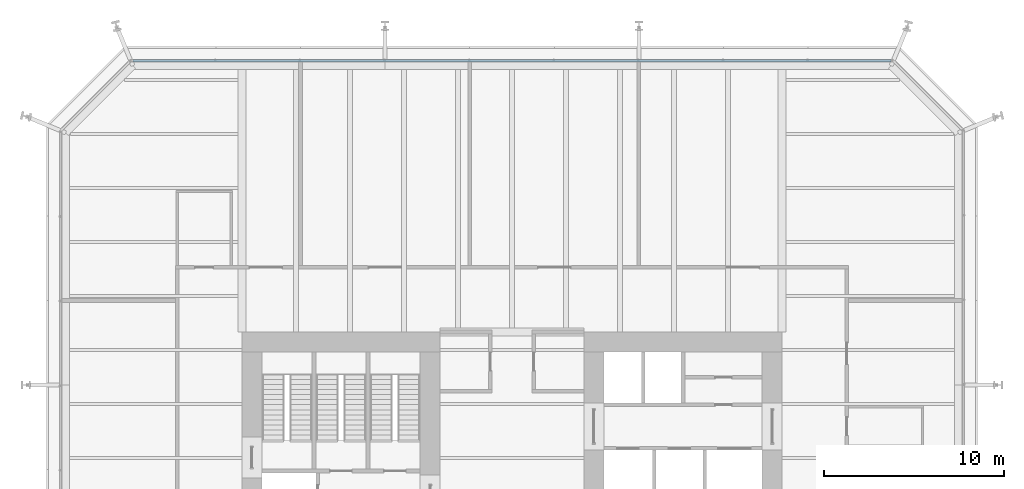
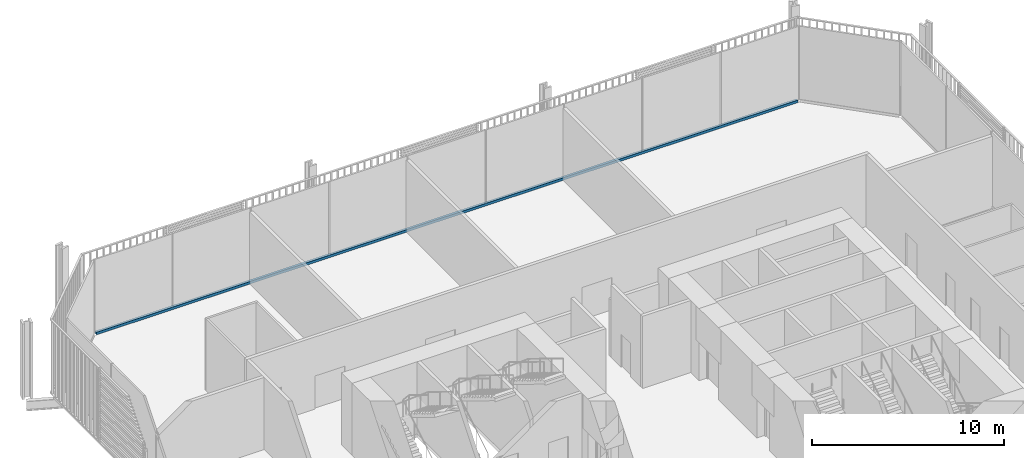
# One storey, part 15 of 22: 1 member, 1 element without a shape of its own.
"""IFC4 building model written with IfcOpenShell, lengths in metres."""

from ifc_helpers import new_model, si_unit, direction, frame, origin, origin_2d, place, context, subcontext, project, spatial, rectangle, extrude, material, layer, layer_set, material_profile, profile_set, type_object, element, aggregate, save


model = new_model("IFC4")

# Units and contexts
model_context = context("Model", 3, precision=1e-05, world=origin(), true_north=direction((0.0, 1.0)))
body_context = subcontext(model_context, "Body", "Model", "MODEL_VIEW")
ifc_project = project(units=[si_unit("LENGTHUNIT", "METRE"), si_unit("AREAUNIT", "SQUARE_METRE"), si_unit("VOLUMEUNIT", "CUBIC_METRE"), si_unit("PLANEANGLEUNIT", "RADIAN"), si_unit("MASSUNIT", "GRAM", prefix="KILO")], contexts=[model_context])

# Site, building, storey
site_placement = place(None, origin())
site = spatial("IfcSite", under=ifc_project, at=site_placement, CompositionType="ELEMENT")
building_placement = place(site_placement, origin())
building = spatial("IfcBuilding", under=site, at=building_placement, Name="Millrace Tower", CompositionType="ELEMENT")
storey_placement = place(building_placement, frame((0.0, 0.0, 40.10009765625)))
storey = spatial("IfcBuildingStorey", under=building, at=storey_placement, Name="L09", CompositionType="ELEMENT", Elevation=40.10009765625)

# Curtain wall, member
ifc_material_1 = material(Name="Aluminium and glass", Category="aluminium")
ifc_layer = layer(ifc_material_1, 0.14990234375)
ifc_layer_set = layer_set([ifc_layer], Name="Aluminium and glass")
curtain_wall_type = type_object("IfcCurtainWallType", Name="CW-2 data hall insulated curtain wall", PredefinedType="NOTDEFINED", material=ifc_layer_set)
curtain_wall_placement = place(storey_placement, origin())
curtain_wall = element("IfcCurtainWall", 1, at=curtain_wall_placement, inside=storey, type_object=curtain_wall_type, Name="Curtain wall A-F06 L09", PredefinedType="NOTDEFINED")
ifc_material_2 = material(Name="Aluminium", Category="aluminium")
ifc_material_profile = material_profile(ifc_material_2, rectangle(XDim=0.14990234375, YDim=0.159912109375, at=origin_2d()))
ifc_profile_set = profile_set([ifc_material_profile], Name="Aluminium")
member_type = type_object("IfcMemberType", Name="CW-2 data hall insulated curtain wall transom", PredefinedType="USERDEFINED", material=ifc_profile_set)
member_placement = place(storey_placement, frame((21.050048828125, 25.074951171875, 0.079833984375), z_axis=(-1.0, 0.0, 0.0), x_axis=(0.0, -1.0, 0.0)))
member = element("IfcMember", 2, at=member_placement, type_object=member_type, Name="CW2 transom A-F06.1", ObjectType="TRANSOM", PredefinedType="USERDEFINED", context=body_context, shape_type="SweptSolid", body=[
    extrude(rectangle(XDim=0.14990234375, YDim=0.159912109375, at=origin_2d()), origin(), (0.0, 0.0, 1.0), 42.10009765625),
])
aggregate(curtain_wall, [member])

save(model, "model.ifc")
